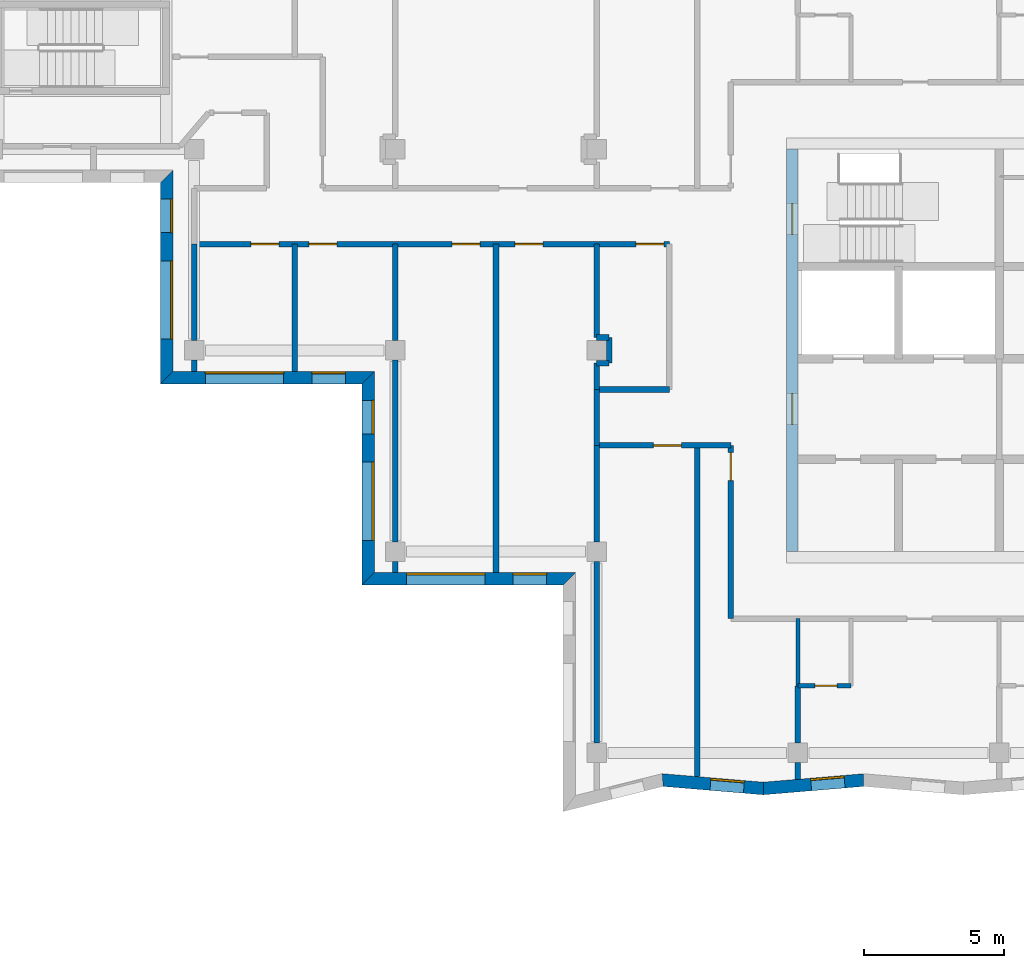
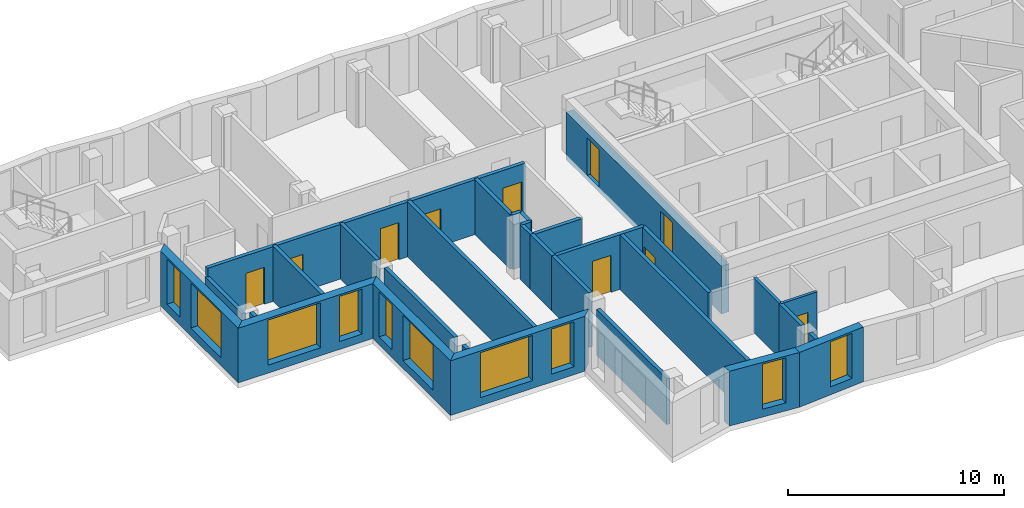
# One storey, part 2 of 13: 31 walls, 10 doors, 10 windows, 20 openings.
"""IFC4 building model written with IfcOpenShell, lengths in metres."""

from ifc_helpers import new_model, si_unit, direction, frame, frame_2d, origin, place, context, subcontext, project, spatial, polyline, rectangle, outline, extrude, material, layer, layer_set, type_object, element, fill, save


model = new_model("IFC4")

# Units and contexts
model_context = context("Model", 3, precision=1e-05, world=origin(), true_north=direction((0.0, 1.0)))
body_context = subcontext(model_context, "Body", "Model", "MODEL_VIEW")
ifc_project = project(units=[si_unit("LENGTHUNIT", "METRE"), si_unit("AREAUNIT", "SQUARE_METRE"), si_unit("VOLUMEUNIT", "CUBIC_METRE"), si_unit("PLANEANGLEUNIT", "RADIAN"), si_unit("MASSUNIT", "GRAM", prefix="KILO")], contexts=[model_context])

# Site, building, storey
site_placement = place(None, origin())
site = spatial("IfcSite", under=ifc_project, at=site_placement, CompositionType="ELEMENT")
building_placement = place(site_placement, origin())
building = spatial("IfcBuilding", under=site, at=building_placement, Name="Windrow Commons", CompositionType="ELEMENT")
storey_placement = place(building_placement, frame((0.0, 0.0, 243.8)))
storey = spatial("IfcBuildingStorey", under=building, at=storey_placement, Name="L66", CompositionType="ELEMENT", Elevation=243.8)

# Wall, openings, windows
ifc_material_1 = material(Name="Brick masonry, red clay brick", Category="masonry")
ifc_layer_1 = layer(ifc_material_1, 0.45)
ifc_layer_set_1 = layer_set([ifc_layer_1], Name="Brick facade wall 450")
wall_type_1 = type_object("IfcWallType", Name="Brick facade wall 450", PredefinedType="SOLIDWALL", material=ifc_layer_set_1)
wall_1_placement = place(storey_placement, frame((35.025, 63.825, 0.0), z_axis=(0.0, 0.0, 1.0), x_axis=(0.0, -1.0, 0.0)))
wall_1 = element("IfcWall", 1, at=wall_1_placement, inside=storey, type_object=wall_type_1, Name="Brick facade wall L66 33", PredefinedType="SOLIDWALL", context=body_context, shape_type="SweptSolid", body=[
    extrude(outline(polyline([(0.225, -0.225), (7.425, -0.225), (6.975, 0.225), (-0.225, 0.225), (0.225, -0.225)])), origin(), (0.0, 0.0, 1.0), 3.1),
])
opening_1_placement = place(wall_1_placement, frame((3.025, 0.0, 0.45)))
opening_1 = element("IfcOpeningElement", 2, at=opening_1_placement, cuts=wall_1, Name="Opening W1V", PredefinedType="OPENING", context=body_context, shape_type="SweptSolid", body=[
    extrude(rectangle(XDim=2.8, YDim=2.55, at=frame_2d((1.4, 1.275))), frame((0.0, 0.235, 0.0), z_axis=(0.0, -1.0, 0.0), x_axis=(1.0, 0.0, 0.0)), (0.0, 0.0, 1.0), 0.47),
])
opening_2_placement = place(wall_1_placement, frame((0.8125, 0.0, 0.45)))
opening_2 = element("IfcOpeningElement", 3, at=opening_2_placement, cuts=wall_1, Name="Opening W7F", PredefinedType="OPENING", context=body_context, shape_type="SweptSolid", body=[
    extrude(rectangle(XDim=1.2, YDim=2.55, at=frame_2d((0.6, 1.275))), frame((0.0, 0.235, 0.0), z_axis=(0.0, -1.0, 0.0), x_axis=(1.0, 0.0, 0.0)), (0.0, 0.0, 1.0), 0.47),
])
ifc_material_2 = material(Name="Clear float glass in anodised aluminium frame", Category="aluminium")
window_type_1 = type_object("IfcWindowType", Name="Window W1V bedroom 2800x2550", PartitioningType="SINGLE_PANEL", PredefinedType="WINDOW", material=ifc_material_2)
window_1_placement = place(opening_1_placement, origin())
window_1 = element("IfcWindow", 4, at=window_1_placement, inside=storey, type_object=window_type_1, Name="Window L66 33.1", OverallHeight=2.55, OverallWidth=2.8, PartitioningType="SINGLE_PANEL", PredefinedType="WINDOW", context=body_context, shape_type="SweptSolid", body=[
    extrude(rectangle(XDim=2.8, YDim=2.55, at=frame_2d((1.4, 1.275))), frame((0.0, 0.205, 0.0), z_axis=(0.0, -1.0, 0.0), x_axis=(1.0, 0.0, 0.0)), (0.0, 0.0, 1.0), 0.06),
])
fill(opening_1, window_1)
ifc_material_3 = material(Name="Clear float glass in anodised aluminium frame", Category="aluminium")
window_type_2 = type_object("IfcWindowType", Name="Window W7 notch 1200x2550", PartitioningType="SINGLE_PANEL", PredefinedType="WINDOW", material=ifc_material_3)
window_2_placement = place(opening_2_placement, origin())
window_2 = element("IfcWindow", 5, at=window_2_placement, inside=storey, type_object=window_type_2, Name="Window L66 33.2", OverallHeight=2.55, OverallWidth=1.2, PartitioningType="SINGLE_PANEL", PredefinedType="WINDOW", context=body_context, shape_type="SweptSolid", body=[
    extrude(rectangle(XDim=1.2, YDim=2.55, at=frame_2d((0.6, 1.275))), frame((0.0, 0.205, 0.0), z_axis=(0.0, -1.0, 0.0), x_axis=(1.0, 0.0, 0.0)), (0.0, 0.0, 1.0), 0.06),
])
fill(opening_2, window_2)

wall_2_placement = place(storey_placement, frame((35.025, 56.625, 0.0), z_axis=(0.0, 0.0, 1.0), x_axis=(1.0, 0.0, 0.0)))
wall_2 = element("IfcWall", 6, at=wall_2_placement, inside=storey, type_object=wall_type_1, Name="Brick facade wall L66 34", PredefinedType="SOLIDWALL", context=body_context, shape_type="SweptSolid", body=[
    extrude(outline(polyline([(-0.225, -0.225), (6.975, -0.225), (7.425, 0.225), (0.225, 0.225), (-0.225, -0.225)])), origin(), (0.0, 0.0, 1.0), 3.1),
])
opening_3_placement = place(wall_2_placement, frame((1.375, 0.0, 0.45)))
opening_3 = element("IfcOpeningElement", 7, at=opening_3_placement, cuts=wall_2, Name="Opening W1V", PredefinedType="OPENING", context=body_context, shape_type="SweptSolid", body=[
    extrude(rectangle(XDim=2.8, YDim=2.55, at=frame_2d((1.4, 1.275))), frame((0.0, 0.235, 0.0), z_axis=(0.0, -1.0, 0.0), x_axis=(1.0, 0.0, 0.0)), (0.0, 0.0, 1.0), 0.47),
])
opening_4_placement = place(wall_2_placement, frame((5.1875, 0.0, 0.45)))
opening_4 = element("IfcOpeningElement", 8, at=opening_4_placement, cuts=wall_2, Name="Opening W7F", PredefinedType="OPENING", context=body_context, shape_type="SweptSolid", body=[
    extrude(rectangle(XDim=1.2, YDim=2.55, at=frame_2d((0.6, 1.275))), frame((0.0, 0.235, 0.0), z_axis=(0.0, -1.0, 0.0), x_axis=(1.0, 0.0, 0.0)), (0.0, 0.0, 1.0), 0.47),
])
window_3_placement = place(opening_3_placement, origin())
window_3 = element("IfcWindow", 9, at=window_3_placement, inside=storey, type_object=window_type_1, Name="Window L66 34.1", OverallHeight=2.55, OverallWidth=2.8, PartitioningType="SINGLE_PANEL", PredefinedType="WINDOW", context=body_context, shape_type="SweptSolid", body=[
    extrude(rectangle(XDim=2.8, YDim=2.55, at=frame_2d((1.4, 1.275))), frame((0.0, 0.205, 0.0), z_axis=(0.0, -1.0, 0.0), x_axis=(1.0, 0.0, 0.0)), (0.0, 0.0, 1.0), 0.06),
])
fill(opening_3, window_3)
window_4_placement = place(opening_4_placement, origin())
window_4 = element("IfcWindow", 10, at=window_4_placement, inside=storey, type_object=window_type_2, Name="Window L66 34.2", OverallHeight=2.55, OverallWidth=1.2, PartitioningType="SINGLE_PANEL", PredefinedType="WINDOW", context=body_context, shape_type="SweptSolid", body=[
    extrude(rectangle(XDim=1.2, YDim=2.55, at=frame_2d((0.6, 1.275))), frame((0.0, 0.205, 0.0), z_axis=(0.0, -1.0, 0.0), x_axis=(1.0, 0.0, 0.0)), (0.0, 0.0, 1.0), 0.06),
])
fill(opening_4, window_4)

wall_3_placement = place(storey_placement, frame((42.225, 56.625, 0.0), z_axis=(0.0, 0.0, 1.0), x_axis=(0.0, -1.0, 0.0)))
wall_3 = element("IfcWall", 11, at=wall_3_placement, inside=storey, type_object=wall_type_1, Name="Brick facade wall L66 35", PredefinedType="SOLIDWALL", context=body_context, shape_type="SweptSolid", body=[
    extrude(outline(polyline([(0.225, -0.225), (7.425, -0.225), (6.975, 0.225), (-0.225, 0.225), (0.225, -0.225)])), origin(), (0.0, 0.0, 1.0), 3.1),
])
opening_5_placement = place(wall_3_placement, frame((3.025, 0.0, 0.45)))
opening_5 = element("IfcOpeningElement", 12, at=opening_5_placement, cuts=wall_3, Name="Opening W1V", PredefinedType="OPENING", context=body_context, shape_type="SweptSolid", body=[
    extrude(rectangle(XDim=2.8, YDim=2.55, at=frame_2d((1.4, 1.275))), frame((0.0, 0.235, 0.0), z_axis=(0.0, -1.0, 0.0), x_axis=(1.0, 0.0, 0.0)), (0.0, 0.0, 1.0), 0.47),
])
opening_6_placement = place(wall_3_placement, frame((0.8125, 0.0, 0.45)))
opening_6 = element("IfcOpeningElement", 13, at=opening_6_placement, cuts=wall_3, Name="Opening W7F", PredefinedType="OPENING", context=body_context, shape_type="SweptSolid", body=[
    extrude(rectangle(XDim=1.2, YDim=2.55, at=frame_2d((0.6, 1.275))), frame((0.0, 0.235, 0.0), z_axis=(0.0, -1.0, 0.0), x_axis=(1.0, 0.0, 0.0)), (0.0, 0.0, 1.0), 0.47),
])
window_5_placement = place(opening_5_placement, origin())
window_5 = element("IfcWindow", 14, at=window_5_placement, inside=storey, type_object=window_type_1, Name="Window L66 35.1", OverallHeight=2.55, OverallWidth=2.8, PartitioningType="SINGLE_PANEL", PredefinedType="WINDOW", context=body_context, shape_type="SweptSolid", body=[
    extrude(rectangle(XDim=2.8, YDim=2.55, at=frame_2d((1.4, 1.275))), frame((0.0, 0.205, 0.0), z_axis=(0.0, -1.0, 0.0), x_axis=(1.0, 0.0, 0.0)), (0.0, 0.0, 1.0), 0.06),
])
fill(opening_5, window_5)
window_6_placement = place(opening_6_placement, origin())
window_6 = element("IfcWindow", 15, at=window_6_placement, inside=storey, type_object=window_type_2, Name="Window L66 35.2", OverallHeight=2.55, OverallWidth=1.2, PartitioningType="SINGLE_PANEL", PredefinedType="WINDOW", context=body_context, shape_type="SweptSolid", body=[
    extrude(rectangle(XDim=1.2, YDim=2.55, at=frame_2d((0.6, 1.275))), frame((0.0, 0.205, 0.0), z_axis=(0.0, -1.0, 0.0), x_axis=(1.0, 0.0, 0.0)), (0.0, 0.0, 1.0), 0.06),
])
fill(opening_6, window_6)

wall_4_placement = place(storey_placement, frame((42.225, 49.425, 0.0), z_axis=(0.0, 0.0, 1.0), x_axis=(1.0, 0.0, 0.0)))
wall_4 = element("IfcWall", 16, at=wall_4_placement, inside=storey, type_object=wall_type_1, Name="Brick facade wall L66 36", PredefinedType="SOLIDWALL", context=body_context, shape_type="SweptSolid", body=[
    extrude(outline(polyline([(-0.225, -0.225), (6.975, -0.225), (7.425, 0.225), (0.225, 0.225), (-0.225, -0.225)])), origin(), (0.0, 0.0, 1.0), 3.1),
])
opening_7_placement = place(wall_4_placement, frame((1.375, 0.0, 0.45)))
opening_7 = element("IfcOpeningElement", 17, at=opening_7_placement, cuts=wall_4, Name="Opening W1V", PredefinedType="OPENING", context=body_context, shape_type="SweptSolid", body=[
    extrude(rectangle(XDim=2.8, YDim=2.55, at=frame_2d((1.4, 1.275))), frame((0.0, 0.235, 0.0), z_axis=(0.0, -1.0, 0.0), x_axis=(1.0, 0.0, 0.0)), (0.0, 0.0, 1.0), 0.47),
])
opening_8_placement = place(wall_4_placement, frame((5.1875, 0.0, 0.45)))
opening_8 = element("IfcOpeningElement", 18, at=opening_8_placement, cuts=wall_4, Name="Opening W7F", PredefinedType="OPENING", context=body_context, shape_type="SweptSolid", body=[
    extrude(rectangle(XDim=1.2, YDim=2.55, at=frame_2d((0.6, 1.275))), frame((0.0, 0.235, 0.0), z_axis=(0.0, -1.0, 0.0), x_axis=(1.0, 0.0, 0.0)), (0.0, 0.0, 1.0), 0.47),
])
window_7_placement = place(opening_7_placement, origin())
window_7 = element("IfcWindow", 19, at=window_7_placement, inside=storey, type_object=window_type_1, Name="Window L66 36.1", OverallHeight=2.55, OverallWidth=2.8, PartitioningType="SINGLE_PANEL", PredefinedType="WINDOW", context=body_context, shape_type="SweptSolid", body=[
    extrude(rectangle(XDim=2.8, YDim=2.55, at=frame_2d((1.4, 1.275))), frame((0.0, 0.205, 0.0), z_axis=(0.0, -1.0, 0.0), x_axis=(1.0, 0.0, 0.0)), (0.0, 0.0, 1.0), 0.06),
])
fill(opening_7, window_7)
window_8_placement = place(opening_8_placement, origin())
window_8 = element("IfcWindow", 20, at=window_8_placement, inside=storey, type_object=window_type_2, Name="Window L66 36.2", OverallHeight=2.55, OverallWidth=1.2, PartitioningType="SINGLE_PANEL", PredefinedType="WINDOW", context=body_context, shape_type="SweptSolid", body=[
    extrude(rectangle(XDim=1.2, YDim=2.55, at=frame_2d((0.6, 1.275))), frame((0.0, 0.205, 0.0), z_axis=(0.0, -1.0, 0.0), x_axis=(1.0, 0.0, 0.0)), (0.0, 0.0, 1.0), 0.06),
])
fill(opening_8, window_8)

# Wall, opening, window
wall_5_placement = place(storey_placement, frame((52.7635, 42.2273, 0.0), z_axis=(0.0, 0.0, 1.0), x_axis=(0.9965122743, -0.0834463132, 0.0)))
wall_5 = element("IfcWall", 21, at=wall_5_placement, inside=storey, type_object=wall_type_1, Name="Brick facade wall L66 39", PredefinedType="SOLIDWALL", context=body_context, shape_type="SweptSolid", body=[
    extrude(outline(polyline([(0.0374, -0.225), (3.632, -0.225), (3.5943, 0.225), (-0.0374, 0.225), (0.0374, -0.225)])), origin(), (0.0, 0.0, 1.0), 3.1),
])
opening_9_placement = place(wall_5_placement, frame((1.7176, 0.0, 0.45)))
opening_9 = element("IfcOpeningElement", 22, at=opening_9_placement, cuts=wall_5, Name="Opening W7F", PredefinedType="OPENING", context=body_context, shape_type="SweptSolid", body=[
    extrude(rectangle(XDim=1.2, YDim=2.55, at=frame_2d((0.6, 1.275))), frame((0.0, 0.235, 0.0), z_axis=(0.0, -1.0, 0.0), x_axis=(1.0, 0.0, 0.0)), (0.0, 0.0, 1.0), 0.47),
])
window_9_placement = place(opening_9_placement, origin())
window_9 = element("IfcWindow", 23, at=window_9_placement, inside=storey, type_object=window_type_2, Name="Window L66 39.1", OverallHeight=2.55, OverallWidth=1.2, PartitioningType="SINGLE_PANEL", PredefinedType="WINDOW", context=body_context, shape_type="SweptSolid", body=[
    extrude(rectangle(XDim=1.2, YDim=2.55, at=frame_2d((0.6, 1.275))), frame((0.0, 0.205, 0.0), z_axis=(0.0, -1.0, 0.0), x_axis=(1.0, 0.0, 0.0)), (0.0, 0.0, 1.0), 0.06),
])
fill(opening_9, window_9)

wall_6_placement = place(storey_placement, frame((56.364, 41.9258, 0.0), z_axis=(0.0, 0.0, 1.0), x_axis=(0.9965111369, 0.0834598942, 0.0)))
wall_6 = element("IfcWall", 24, at=wall_6_placement, inside=storey, type_object=wall_type_1, Name="Brick facade wall L66 40", PredefinedType="SOLIDWALL", context=body_context, shape_type="SweptSolid", body=[
    extrude(outline(polyline([(-0.0188, -0.225), (3.5757, -0.225), (3.6134, 0.225), (0.0188, 0.225), (-0.0188, -0.225)])), origin(), (0.0, 0.0, 1.0), 3.1),
])
opening_10_placement = place(wall_6_placement, frame((1.7174, 0.0, 0.45)))
opening_10 = element("IfcOpeningElement", 25, at=opening_10_placement, cuts=wall_6, Name="Opening W7F", PredefinedType="OPENING", context=body_context, shape_type="SweptSolid", body=[
    extrude(rectangle(XDim=1.2, YDim=2.55, at=frame_2d((0.6, 1.275))), frame((0.0, 0.235, 0.0), z_axis=(0.0, -1.0, 0.0), x_axis=(1.0, 0.0, 0.0)), (0.0, 0.0, 1.0), 0.47),
])
window_10_placement = place(opening_10_placement, origin())
window_10 = element("IfcWindow", 26, at=window_10_placement, inside=storey, type_object=window_type_2, Name="Window L66 40.1", OverallHeight=2.55, OverallWidth=1.2, PartitioningType="SINGLE_PANEL", PredefinedType="WINDOW", context=body_context, shape_type="SweptSolid", body=[
    extrude(rectangle(XDim=1.2, YDim=2.55, at=frame_2d((0.6, 1.275))), frame((0.0, 0.205, 0.0), z_axis=(0.0, -1.0, 0.0), x_axis=(1.0, 0.0, 0.0)), (0.0, 0.0, 1.0), 0.06),
])
fill(opening_10, window_10)

# Wall, openings, doors
ifc_material_4 = material(Name="Blockwork partition", Category="masonry")
ifc_layer_2 = layer(ifc_material_4, 0.2)
ifc_layer_set_2 = layer_set([ifc_layer_2], Name="IW-CORRIDOR-200")
wall_type_2 = type_object("IfcWallType", Name="IW-CORRIDOR-200", PredefinedType="PARTITIONING", material=ifc_layer_set_2)
wall_7_placement = place(storey_placement, frame((36.0, 61.4, 0.0), z_axis=(0.0, 0.0, 1.0), x_axis=(1.0, 0.0, 0.0)))
wall_7 = element("IfcWall", 27, at=wall_7_placement, inside=storey, type_object=wall_type_2, Name="W-L66-W002", PredefinedType="PARTITIONING", context=body_context, shape_type="SweptSolid", body=[
    extrude(rectangle(XDim=17.0, YDim=0.2, at=frame_2d((8.5, 0.0))), origin(), (0.0, 0.0, 1.0), 3.1),
])
opening_11_placement = place(wall_7_placement, frame((2.0325, 0.0, 0.0)))
opening_11 = element("IfcOpeningElement", 28, at=opening_11_placement, cuts=wall_7, Name="Opening D310F", PredefinedType="OPENING", context=body_context, shape_type="SweptSolid", body=[
    extrude(rectangle(XDim=1.0, YDim=2.1, at=frame_2d((0.5, 1.05))), frame((0.0, 0.11, 0.0), z_axis=(0.0, -1.0, 0.0), x_axis=(1.0, 0.0, 0.0)), (0.0, 0.0, 1.0), 0.22),
])
opening_12_placement = place(wall_7_placement, frame((4.1075, 0.0, 0.0)))
opening_12 = element("IfcOpeningElement", 29, at=opening_12_placement, cuts=wall_7, Name="Opening D310F", PredefinedType="OPENING", context=body_context, shape_type="SweptSolid", body=[
    extrude(rectangle(XDim=1.0, YDim=2.1, at=frame_2d((0.5, 1.05))), frame((0.0, 0.11, 0.0), z_axis=(0.0, -1.0, 0.0), x_axis=(1.0, 0.0, 0.0)), (0.0, 0.0, 1.0), 0.22),
])
opening_13_placement = place(wall_7_placement, frame((9.2325, 0.0, 0.0)))
opening_13 = element("IfcOpeningElement", 30, at=opening_13_placement, cuts=wall_7, Name="Opening D310F", PredefinedType="OPENING", context=body_context, shape_type="SweptSolid", body=[
    extrude(rectangle(XDim=1.0, YDim=2.1, at=frame_2d((0.5, 1.05))), frame((0.0, 0.11, 0.0), z_axis=(0.0, -1.0, 0.0), x_axis=(1.0, 0.0, 0.0)), (0.0, 0.0, 1.0), 0.22),
])
opening_14_placement = place(wall_7_placement, frame((11.48, 0.0, 0.0)))
opening_14 = element("IfcOpeningElement", 31, at=opening_14_placement, cuts=wall_7, Name="Opening D310F", PredefinedType="OPENING", context=body_context, shape_type="SweptSolid", body=[
    extrude(rectangle(XDim=1.0, YDim=2.1, at=frame_2d((0.5, 1.05))), frame((0.0, 0.11, 0.0), z_axis=(0.0, -1.0, 0.0), x_axis=(1.0, 0.0, 0.0)), (0.0, 0.0, 1.0), 0.22),
])
opening_15_placement = place(wall_7_placement, frame((15.805, 0.0, 0.0)))
opening_15 = element("IfcOpeningElement", 32, at=opening_15_placement, cuts=wall_7, Name="Opening D410F", PredefinedType="OPENING", context=body_context, shape_type="SweptSolid", body=[
    extrude(rectangle(XDim=1.0, YDim=2.1, at=frame_2d((0.5, 1.05))), frame((0.0, 0.11, 0.0), z_axis=(0.0, -1.0, 0.0), x_axis=(1.0, 0.0, 0.0)), (0.0, 0.0, 1.0), 0.22),
])
ifc_material_5 = material(Name="Timber door leaf", Category="wood")
door_type_1 = type_object("IfcDoorType", Name="DT-AMENITY-1000", OperationType="SINGLE_SWING_LEFT", PredefinedType="DOOR", material=ifc_material_5)
door_1_placement = place(opening_11_placement, origin())
door_1 = element("IfcDoor", 33, at=door_1_placement, inside=storey, type_object=door_type_1, Name="D-L66-D004", OperationType="SINGLE_SWING_LEFT", OverallHeight=2.1, OverallWidth=1.0, PredefinedType="DOOR", context=body_context, shape_type="SweptSolid", body=[
    extrude(rectangle(XDim=1.0, YDim=2.1, at=frame_2d((0.5, 1.05))), frame((0.0, 0.025, 0.0), z_axis=(0.0, -1.0, 0.0), x_axis=(1.0, 0.0, 0.0)), (0.0, 0.0, 1.0), 0.05),
])
fill(opening_11, door_1)
door_2_placement = place(opening_12_placement, origin())
door_2 = element("IfcDoor", 34, at=door_2_placement, inside=storey, type_object=door_type_1, Name="D-L66-D011", OperationType="SINGLE_SWING_RIGHT", OverallHeight=2.1, OverallWidth=1.0, PredefinedType="DOOR", context=body_context, shape_type="SweptSolid", body=[
    extrude(rectangle(XDim=1.0, YDim=2.1, at=frame_2d((0.5, 1.05))), frame((0.0, 0.025, 0.0), z_axis=(0.0, -1.0, 0.0), x_axis=(1.0, 0.0, 0.0)), (0.0, 0.0, 1.0), 0.05),
])
fill(opening_12, door_2)
door_3_placement = place(opening_13_placement, origin())
door_3 = element("IfcDoor", 35, at=door_3_placement, inside=storey, type_object=door_type_1, Name="D-L66-D012", OperationType="SINGLE_SWING_LEFT", OverallHeight=2.1, OverallWidth=1.0, PredefinedType="DOOR", context=body_context, shape_type="SweptSolid", body=[
    extrude(rectangle(XDim=1.0, YDim=2.1, at=frame_2d((0.5, 1.05))), frame((0.0, 0.025, 0.0), z_axis=(0.0, -1.0, 0.0), x_axis=(1.0, 0.0, 0.0)), (0.0, 0.0, 1.0), 0.05),
])
fill(opening_13, door_3)
door_4_placement = place(opening_14_placement, origin())
door_4 = element("IfcDoor", 36, at=door_4_placement, inside=storey, type_object=door_type_1, Name="D-L66-D013", OperationType="SINGLE_SWING_RIGHT", OverallHeight=2.1, OverallWidth=1.0, PredefinedType="DOOR", context=body_context, shape_type="SweptSolid", body=[
    extrude(rectangle(XDim=1.0, YDim=2.1, at=frame_2d((0.5, 1.05))), frame((0.0, 0.025, 0.0), z_axis=(0.0, -1.0, 0.0), x_axis=(1.0, 0.0, 0.0)), (0.0, 0.0, 1.0), 0.05),
])
fill(opening_14, door_4)
ifc_material_6 = material(Name="Timber door leaf", Category="wood")
door_type_2 = type_object("IfcDoorType", Name="DT-SERVICE-1000", OperationType="SINGLE_SWING_LEFT", PredefinedType="DOOR", material=ifc_material_6)
door_5_placement = place(opening_15_placement, origin())
door_5 = element("IfcDoor", 37, at=door_5_placement, inside=storey, type_object=door_type_2, Name="D-L66-D014", OperationType="SINGLE_SWING_LEFT", OverallHeight=2.1, OverallWidth=1.0, PredefinedType="DOOR", context=body_context, shape_type="SweptSolid", body=[
    extrude(rectangle(XDim=1.0, YDim=2.1, at=frame_2d((0.5, 1.05))), frame((0.0, 0.025, 0.0), z_axis=(0.0, -1.0, 0.0), x_axis=(1.0, 0.0, 0.0)), (0.0, 0.0, 1.0), 0.05),
])
fill(opening_15, door_5)

# Wall, opening, door
wall_8_placement = place(storey_placement, frame((55.2, 48.0, 0.0), z_axis=(0.0, 0.0, 1.0), x_axis=(0.0, 1.0, 0.0)))
wall_8 = element("IfcWall", 38, at=wall_8_placement, inside=storey, type_object=wall_type_2, Name="W-L66-W023", PredefinedType="PARTITIONING", context=body_context, shape_type="SweptSolid", body=[
    extrude(rectangle(XDim=6.2, YDim=0.2, at=frame_2d((3.1, 0.0))), origin(), (0.0, 0.0, 1.0), 3.1),
])
opening_16_placement = place(wall_8_placement, frame((4.9404, 0.0, 0.0)))
opening_16 = element("IfcOpeningElement", 39, at=opening_16_placement, cuts=wall_8, Name="Opening D310F", PredefinedType="OPENING", context=body_context, shape_type="SweptSolid", body=[
    extrude(rectangle(XDim=1.0, YDim=2.1, at=frame_2d((0.5, 1.05))), frame((0.0, 0.11, 0.0), z_axis=(0.0, -1.0, 0.0), x_axis=(1.0, 0.0, 0.0)), (0.0, 0.0, 1.0), 0.22),
])
door_6_placement = place(opening_16_placement, origin())
door_6 = element("IfcDoor", 40, at=door_6_placement, inside=storey, type_object=door_type_1, Name="D-L66-D016", OperationType="SINGLE_SWING_RIGHT", OverallHeight=2.1, OverallWidth=1.0, PredefinedType="DOOR", context=body_context, shape_type="SweptSolid", body=[
    extrude(rectangle(XDim=1.0, YDim=2.1, at=frame_2d((0.5, 1.05))), frame((0.0, 0.025, 0.0), z_axis=(0.0, -1.0, 0.0), x_axis=(1.0, 0.0, 0.0)), (0.0, 0.0, 1.0), 0.05),
])
fill(opening_16, door_6)

wall_9_placement = place(storey_placement, frame((50.4, 54.2, 0.0), z_axis=(0.0, 0.0, 1.0), x_axis=(1.0, 0.0, 0.0)))
wall_9 = element("IfcWall", 41, at=wall_9_placement, inside=storey, type_object=wall_type_2, Name="W-L66-W030", PredefinedType="PARTITIONING", context=body_context, shape_type="SweptSolid", body=[
    extrude(rectangle(XDim=4.8, YDim=0.2, at=frame_2d((2.4, 0.0))), origin(), (0.0, 0.0, 1.0), 3.1),
])
opening_17_placement = place(wall_9_placement, frame((2.0325, 0.0, 0.0)))
opening_17 = element("IfcOpeningElement", 42, at=opening_17_placement, cuts=wall_9, Name="Opening D310F", PredefinedType="OPENING", context=body_context, shape_type="SweptSolid", body=[
    extrude(rectangle(XDim=1.0, YDim=2.1, at=frame_2d((0.5, 1.05))), frame((0.0, 0.11, 0.0), z_axis=(0.0, -1.0, 0.0), x_axis=(1.0, 0.0, 0.0)), (0.0, 0.0, 1.0), 0.22),
])
door_7_placement = place(opening_17_placement, origin())
door_7 = element("IfcDoor", 43, at=door_7_placement, inside=storey, type_object=door_type_1, Name="D-L66-D015", OperationType="SINGLE_SWING_LEFT", OverallHeight=2.1, OverallWidth=1.0, PredefinedType="DOOR", context=body_context, shape_type="SweptSolid", body=[
    extrude(rectangle(XDim=1.0, YDim=2.1, at=frame_2d((0.5, 1.05))), frame((0.0, 0.025, 0.0), z_axis=(0.0, -1.0, 0.0), x_axis=(1.0, 0.0, 0.0)), (0.0, 0.0, 1.0), 0.05),
])
fill(opening_17, door_7)

# Walls
wall_10_placement = place(storey_placement, frame((50.4, 56.2, 0.0), z_axis=(0.0, 0.0, 1.0), x_axis=(1.0, 0.0, 0.0)))
element("IfcWall", 44, at=wall_10_placement, inside=storey, type_object=wall_type_2, Name="W-L66-W057", PredefinedType="PARTITIONING", context=body_context, shape_type="SweptSolid", body=[
    extrude(rectangle(XDim=2.6, YDim=0.2, at=frame_2d((1.3, 0.0))), origin(), (0.0, 0.0, 1.0), 3.1),
])
wall_11_placement = place(storey_placement, frame((50.4, 54.2, 0.0), z_axis=(0.0, 0.0, 1.0), x_axis=(0.0, 1.0, 0.0)))
element("IfcWall", 45, at=wall_11_placement, inside=storey, type_object=wall_type_2, Name="W-L66-W078", PredefinedType="PARTITIONING", context=body_context, shape_type="SweptSolid", body=[
    extrude(rectangle(XDim=2.0, YDim=0.2, at=frame_2d((1.0, 0.0))), origin(), (0.0, 0.0, 1.0), 3.1),
])
ifc_material_7 = material(Name="Blockwork partition", Category="masonry")
ifc_layer_3 = layer(ifc_material_7, 0.15)
ifc_layer_set_3 = layer_set([ifc_layer_3], Name="IW-ENSUITE-150")
wall_type_3 = type_object("IfcWallType", Name="IW-ENSUITE-150", PredefinedType="PARTITIONING", material=ifc_layer_set_3)
wall_12_placement = place(storey_placement, frame((57.6, 45.6, 0.0), z_axis=(0.0, 0.0, 1.0), x_axis=(0.0, 1.0, 0.0)))
element("IfcWall", 46, at=wall_12_placement, inside=storey, type_object=wall_type_3, Name="W-L66-W062", PredefinedType="PARTITIONING", context=body_context, shape_type="SweptSolid", body=[
    extrude(rectangle(XDim=2.4, YDim=0.15, at=frame_2d((1.2, 0.0))), origin(), (0.0, 0.0, 1.0), 3.1),
])

# Wall, opening, door
wall_13_placement = place(storey_placement, frame((57.6, 45.6, 0.0), z_axis=(0.0, 0.0, 1.0), x_axis=(1.0, 0.0, 0.0)))
wall_13 = element("IfcWall", 47, at=wall_13_placement, inside=storey, type_object=wall_type_3, Name="W-L66-W086", PredefinedType="PARTITIONING", context=body_context, shape_type="SweptSolid", body=[
    extrude(rectangle(XDim=1.9, YDim=0.15, at=frame_2d((0.95, 0.0))), origin(), (0.0, 0.0, 1.0), 3.1),
])
opening_18_placement = place(wall_13_placement, frame((0.6069, 0.0, 0.0)))
opening_18 = element("IfcOpeningElement", 48, at=opening_18_placement, cuts=wall_13, Name="Opening D208N", PredefinedType="OPENING", context=body_context, shape_type="SweptSolid", body=[
    extrude(rectangle(XDim=0.8, YDim=2.1, at=frame_2d((0.4, 1.05))), frame((0.0, 0.085, 0.0), z_axis=(0.0, -1.0, 0.0), x_axis=(1.0, 0.0, 0.0)), (0.0, 0.0, 1.0), 0.17),
])
ifc_material_8 = material(Name="Timber door leaf", Category="wood")
door_type_3 = type_object("IfcDoorType", Name="DT-ENSUITE-800", OperationType="SINGLE_SWING_LEFT", PredefinedType="DOOR", material=ifc_material_8)
door_8_placement = place(opening_18_placement, origin())
door_8 = element("IfcDoor", 49, at=door_8_placement, inside=storey, type_object=door_type_3, Name="D-L66-D022", OperationType="SINGLE_SWING_RIGHT", OverallHeight=2.1, OverallWidth=0.8, PredefinedType="DOOR", context=body_context, shape_type="SweptSolid", body=[
    extrude(rectangle(XDim=0.8, YDim=2.1, at=frame_2d((0.4, 1.05))), frame((0.0, 0.025, 0.0), z_axis=(0.0, -1.0, 0.0), x_axis=(1.0, 0.0, 0.0)), (0.0, 0.0, 1.0), 0.05),
])
fill(opening_18, door_8)

# Walls
ifc_material_9 = material(Name="Blockwork partition", Category="masonry")
ifc_layer_4 = layer(ifc_material_9, 0.2)
ifc_layer_set_4 = layer_set([ifc_layer_4], Name="IW-PARTY-200")
wall_type_4 = type_object("IfcWallType", Name="IW-PARTY-200", PredefinedType="PARTITIONING", material=ifc_layer_set_4)
wall_14_placement = place(storey_placement, frame((54.0, 42.3496, 0.0), z_axis=(0.0, 0.0, 1.0), x_axis=(0.0, 1.0, 0.0)))
element("IfcWall", 50, at=wall_14_placement, inside=storey, type_object=wall_type_4, Name="W-L66-W004", PredefinedType="PARTITIONING", context=body_context, shape_type="SweptSolid", body=[
    extrude(rectangle(XDim=11.8504, YDim=0.2, at=frame_2d((5.9252, 0.0))), origin(), (0.0, 0.0, 1.0), 3.1),
])
wall_15_placement = place(storey_placement, frame((46.8, 49.65, 0.0), z_axis=(0.0, 0.0, 1.0), x_axis=(0.0, 1.0, 0.0)))
element("IfcWall", 51, at=wall_15_placement, inside=storey, type_object=wall_type_4, Name="W-L66-W005", PredefinedType="PARTITIONING", context=body_context, shape_type="SweptSolid", body=[
    extrude(rectangle(XDim=11.75, YDim=0.2, at=frame_2d((5.875, 0.0))), origin(), (0.0, 0.0, 1.0), 3.1),
])
wall_16_placement = place(storey_placement, frame((43.2, 50.75, 0.0), z_axis=(0.0, 0.0, 1.0), x_axis=(0.0, 1.0, 0.0)))
element("IfcWall", 52, at=wall_16_placement, inside=storey, type_object=wall_type_4, Name="W-L66-W016", PredefinedType="PARTITIONING", context=body_context, shape_type="SweptSolid", body=[
    extrude(rectangle(XDim=6.5, YDim=0.2, at=frame_2d((3.25, 0.0))), origin(), (0.0, 0.0, 1.0), 3.1),
])
wall_17_placement = place(storey_placement, frame((50.4, 43.55, 0.0), z_axis=(0.0, 0.0, 1.0), x_axis=(0.0, 1.0, 0.0)))
element("IfcWall", 53, at=wall_17_placement, inside=storey, type_object=wall_type_4, Name="W-L66-W017", PredefinedType="PARTITIONING", context=body_context, shape_type="SweptSolid", body=[
    extrude(rectangle(XDim=6.5, YDim=0.2, at=frame_2d((3.25, 0.0))), origin(), (0.0, 0.0, 1.0), 2.6),
])
wall_18_placement = place(storey_placement, frame((39.6, 56.85, 0.0), z_axis=(0.0, 0.0, 1.0), x_axis=(0.0, 1.0, 0.0)))
element("IfcWall", 54, at=wall_18_placement, inside=storey, type_object=wall_type_4, Name="W-L66-W038", PredefinedType="PARTITIONING", context=body_context, shape_type="SweptSolid", body=[
    extrude(rectangle(XDim=4.55, YDim=0.2, at=frame_2d((2.275, 0.0))), origin(), (0.0, 0.0, 1.0), 3.1),
])
wall_19_placement = place(storey_placement, frame((50.4, 50.75, 0.0), z_axis=(0.0, 0.0, 1.0), x_axis=(0.0, 1.0, 0.0)))
element("IfcWall", 55, at=wall_19_placement, inside=storey, type_object=wall_type_4, Name="W-L66-W046", PredefinedType="PARTITIONING", context=body_context, shape_type="SweptSolid", body=[
    extrude(rectangle(XDim=3.45, YDim=0.2, at=frame_2d((1.725, 0.0))), origin(), (0.0, 0.0, 1.0), 3.1),
])
wall_20_placement = place(storey_placement, frame((36.0, 57.95, 0.0), z_axis=(0.0, 0.0, 1.0), x_axis=(0.0, 1.0, 0.0)))
element("IfcWall", 56, at=wall_20_placement, inside=storey, type_object=wall_type_4, Name="W-L66-W047", PredefinedType="PARTITIONING", context=body_context, shape_type="SweptSolid", body=[
    extrude(rectangle(XDim=3.45, YDim=0.2, at=frame_2d((1.725, 0.0))), origin(), (0.0, 0.0, 1.0), 2.6),
])
wall_21_placement = place(storey_placement, frame((43.2, 57.95, 0.0), z_axis=(0.0, 0.0, 1.0), x_axis=(0.0, 1.0, 0.0)))
element("IfcWall", 57, at=wall_21_placement, inside=storey, type_object=wall_type_4, Name="W-L66-W048", PredefinedType="PARTITIONING", context=body_context, shape_type="SweptSolid", body=[
    extrude(rectangle(XDim=3.45, YDim=0.2, at=frame_2d((1.725, 0.0))), origin(), (0.0, 0.0, 1.0), 3.1),
])
wall_22_placement = place(storey_placement, frame((50.4, 58.056, 0.0), z_axis=(0.0, 0.0, 1.0), x_axis=(0.0, 1.0, 0.0)))
element("IfcWall", 58, at=wall_22_placement, inside=storey, type_object=wall_type_4, Name="W-L66-W050", PredefinedType="PARTITIONING", context=body_context, shape_type="SweptSolid", body=[
    extrude(rectangle(XDim=3.344, YDim=0.2, at=frame_2d((1.672, 0.0))), origin(), (0.0, 0.0, 1.0), 3.1),
])
wall_23_placement = place(storey_placement, frame((57.6, 43.55, 0.0), z_axis=(0.0, 0.0, 1.0), x_axis=(0.0, 1.0, 0.0)))
element("IfcWall", 59, at=wall_23_placement, inside=storey, type_object=wall_type_4, Name="W-L66-W075", PredefinedType="PARTITIONING", context=body_context, shape_type="SweptSolid", body=[
    extrude(rectangle(XDim=2.05, YDim=0.2, at=frame_2d((1.025, 0.0))), origin(), (0.0, 0.0, 1.0), 3.1),
])
wall_24_placement = place(storey_placement, frame((50.4, 56.2, 0.0), z_axis=(0.0, 0.0, 1.0), x_axis=(0.0, 1.0, 0.0)))
element("IfcWall", 60, at=wall_24_placement, inside=storey, type_object=wall_type_4, Name="W-L66-W098", PredefinedType="PARTITIONING", context=body_context, shape_type="SweptSolid", body=[
    extrude(rectangle(XDim=0.944, YDim=0.2, at=frame_2d((0.472, 0.0))), origin(), (0.0, 0.0, 1.0), 3.1),
])
wall_25_placement = place(storey_placement, frame((50.85, 57.144, 0.0), z_axis=(0.0, 0.0, 1.0), x_axis=(0.0, 1.0, 0.0)))
element("IfcWall", 61, at=wall_25_placement, inside=storey, type_object=wall_type_4, Name="W-L66-W100", PredefinedType="PARTITIONING", context=body_context, shape_type="SweptSolid", body=[
    extrude(rectangle(XDim=0.912, YDim=0.2, at=frame_2d((0.456, 0.0))), origin(), (0.0, 0.0, 1.0), 3.1),
])
wall_26_placement = place(storey_placement, frame((57.6, 42.2551, 0.0), z_axis=(0.0, 0.0, 1.0), x_axis=(0.0, 1.0, 0.0)))
element("IfcWall", 62, at=wall_26_placement, inside=storey, type_object=wall_type_4, Name="W-L66-W113", PredefinedType="PARTITIONING", context=body_context, shape_type="SweptSolid", body=[
    extrude(rectangle(XDim=0.5949, YDim=0.2, at=frame_2d((0.2974, 0.0))), origin(), (0.0, 0.0, 1.0), 3.1),
])
for number, where, z_axis, x_axis, name in (
    (63, (50.4, 58.06, 0.0), (0.0, 0.0, 1.0), (1.0, 0.0, 0.0), "W-L66-W124"),
    (64, (50.4, 57.14, 0.0), (0.0, 0.0, 1.0), (1.0, 0.0, 0.0), "W-L66-W125"),
):
    element("IfcWall", number, at=place(storey_placement, frame(where, z_axis=z_axis, x_axis=x_axis)), inside=storey, type_object=wall_type_4, Name=name, PredefinedType="PARTITIONING", context=body_context, shape_type="SweptSolid", body=[
        extrude(rectangle(XDim=0.45, YDim=0.2, at=frame_2d((0.225, 0.0))), origin(), (0.0, 0.0, 1.0), 3.1),
    ])
for number, where, z_axis, x_axis, name in (
    (65, (36.0, 56.85, 0.0), (0.0, 0.0, 1.0), (0.0, 1.0, 0.0), "W-L66-W130"),
    (66, (43.2, 49.65, 0.0), (0.0, 0.0, 1.0), (0.0, 1.0, 0.0), "W-L66-W131"),
):
    element("IfcWall", number, at=place(storey_placement, frame(where, z_axis=z_axis, x_axis=x_axis)), inside=storey, type_object=wall_type_4, Name=name, PredefinedType="PARTITIONING", context=body_context, shape_type="SweptSolid", body=[
        extrude(rectangle(XDim=0.4, YDim=0.2, at=frame_2d((0.2, 0.0))), origin(), (0.0, 0.0, 1.0), 3.1),
    ])

# Wall, openings, doors
ifc_material_10 = material(Name="Concrete C40/50", Category="concrete")
ifc_layer_5 = layer(ifc_material_10, 0.4)
ifc_layer_set_5 = layer_set([ifc_layer_5], Name="RC CORE WALL 400 C40/50")
wall_type_5 = type_object("IfcWallType", Name="RC CORE WALL 400 C40/50", PredefinedType="SHEAR", material=ifc_layer_set_5)
wall_27_placement = place(storey_placement, frame((57.4, 50.4, -0.3), z_axis=(0.0, 0.0, 1.0), x_axis=(0.0, 1.0, 0.0)))
wall_27 = element("IfcWall", 67, at=wall_27_placement, inside=storey, type_object=wall_type_5, Name="Core A wall outer-W", PredefinedType="SHEAR", context=body_context, shape_type="SweptSolid", body=[
    extrude(rectangle(XDim=14.4, YDim=0.4, at=frame_2d((7.2, 0.0))), origin(), (0.0, 0.0, 1.0), 2.7),
])
opening_19_placement = place(wall_27_placement, frame((4.55, 0.0, 0.3)))
opening_19 = element("IfcOpeningElement", 68, at=opening_19_placement, cuts=wall_27, Name="Opening D6", PredefinedType="OPENING", context=body_context, shape_type="SweptSolid", body=[
    extrude(rectangle(XDim=1.1, YDim=2.1, at=frame_2d((0.55, 1.05))), frame((0.0, 0.21, 0.0), z_axis=(0.0, -1.0, 0.0), x_axis=(1.0, 0.0, 0.0)), (0.0, 0.0, 1.0), 0.42),
])
opening_20_placement = place(wall_27_placement, frame((11.35, 0.0, 0.3)))
opening_20 = element("IfcOpeningElement", 69, at=opening_20_placement, cuts=wall_27, Name="Opening D7", PredefinedType="OPENING", context=body_context, shape_type="SweptSolid", body=[
    extrude(rectangle(XDim=1.1, YDim=2.1, at=frame_2d((0.55, 1.05))), frame((0.0, 0.21, 0.0), z_axis=(0.0, -1.0, 0.0), x_axis=(1.0, 0.0, 0.0)), (0.0, 0.0, 1.0), 0.42),
])
ifc_material_11 = material(Name="Steel fire door leaf", Category="steel")
door_type_4 = type_object("IfcDoorType", Name="Core lobby door 1100", OperationType="SINGLE_SWING_LEFT", PredefinedType="DOOR", material=ifc_material_11)
door_9_placement = place(opening_19_placement, origin())
door_9 = element("IfcDoor", 70, at=door_9_placement, inside=storey, type_object=door_type_4, Name="Lift lobby door", OperationType="DOUBLE_DOOR_SINGLE_SWING", OverallHeight=2.1, OverallWidth=1.1, PredefinedType="DOOR", context=body_context, shape_type="SweptSolid", body=[
    extrude(rectangle(XDim=1.1, YDim=2.1, at=frame_2d((0.55, 1.05))), frame((0.0, 0.025, 0.0), z_axis=(0.0, -1.0, 0.0), x_axis=(1.0, 0.0, 0.0)), (0.0, 0.0, 1.0), 0.05),
])
fill(opening_19, door_9)
ifc_material_12 = material(Name="Steel fire door leaf", Category="steel")
door_type_5 = type_object("IfcDoorType", Name="Stair door 1100", OperationType="SINGLE_SWING_LEFT", PredefinedType="DOOR", material=ifc_material_12)
door_10_placement = place(opening_20_placement, origin())
door_10 = element("IfcDoor", 71, at=door_10_placement, inside=storey, type_object=door_type_5, Name="Stair door", OperationType="SINGLE_SWING_LEFT", OverallHeight=2.1, OverallWidth=1.1, PredefinedType="DOOR", context=body_context, shape_type="SweptSolid", body=[
    extrude(rectangle(XDim=1.1, YDim=2.1, at=frame_2d((0.55, 1.05))), frame((0.0, 0.025, 0.0), z_axis=(0.0, -1.0, 0.0), x_axis=(1.0, 0.0, 0.0)), (0.0, 0.0, 1.0), 0.05),
])
fill(opening_20, door_10)

save(model, "model.ifc")
